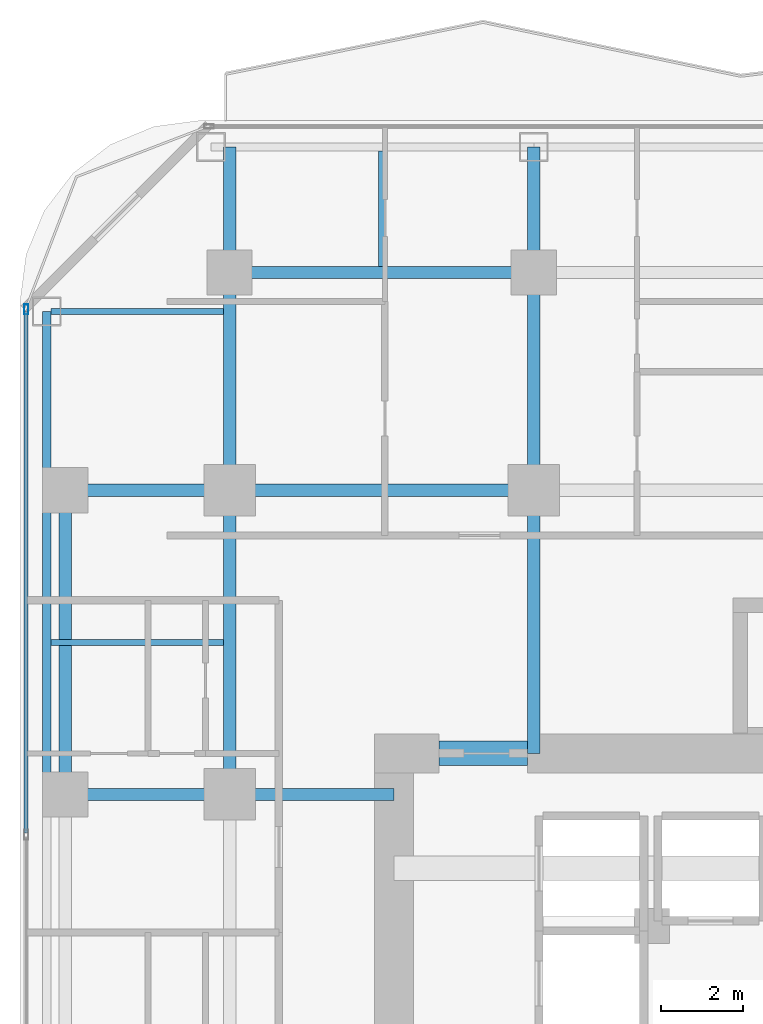
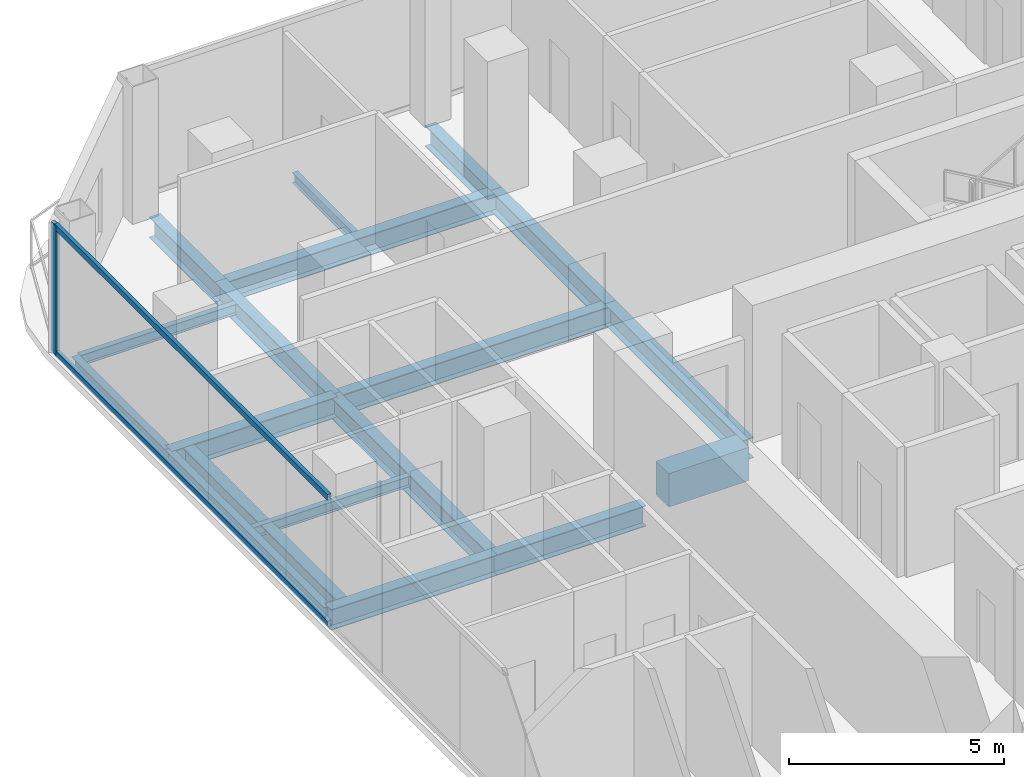
# One storey, part 12 of 29: 18 beams, 3 members, 1 element without a shape of its own.
"""IFC4 building model written with IfcOpenShell, lengths in metres."""

from ifc_helpers import new_model, si_unit, direction, frame, origin, origin_2d, place, context, subcontext, project, spatial, rectangle, hollow_rectangle, i_section, extrude, material, layer, layer_set, material_profile, profile_set, type_object, element, aggregate, save


model = new_model("IFC4")

# Units and contexts
model_context = context("Model", 3, precision=1e-05, world=origin(), true_north=direction((0.0, 1.0)))
body_context = subcontext(model_context, "Body", "Model", "MODEL_VIEW")
ifc_project = project(units=[si_unit("LENGTHUNIT", "METRE"), si_unit("AREAUNIT", "SQUARE_METRE"), si_unit("VOLUMEUNIT", "CUBIC_METRE"), si_unit("PLANEANGLEUNIT", "RADIAN"), si_unit("MASSUNIT", "GRAM", prefix="KILO")], contexts=[model_context])

# Site, building, storey
site_placement = place(None, origin())
site = spatial("IfcSite", under=ifc_project, at=site_placement, CompositionType="ELEMENT")
building_placement = place(site_placement, origin())
building = spatial("IfcBuilding", under=site, at=building_placement, Name="Khorvyn Point Tower", CompositionType="ELEMENT")
storey_placement = place(building_placement, frame((0.0, 0.0, 140.699951171875)))
storey = spatial("IfcBuildingStorey", under=building, at=storey_placement, Name="L35", CompositionType="ELEMENT", Elevation=140.699951171875)

# Curtain wall, members
ifc_material_1 = material(Name="Anodised aluminium 6063-T6 and laminated Low-E glass", Category="aluminium")
ifc_layer = layer(ifc_material_1, 0.18994140625)
ifc_layer_set = layer_set([ifc_layer], Name="Stick-Built Acoustic Curtain Wall CW-SYS-03")
curtain_wall_type = type_object("IfcCurtainWallType", Name="Stick-Built Acoustic Curtain Wall CW-SYS-03", PredefinedType="NOTDEFINED", material=ifc_layer_set)
curtain_wall_placement = place(storey_placement, origin())
curtain_wall = element("IfcCurtainWall", 1, at=curtain_wall_placement, inside=storey, type_object=curtain_wall_type, Name="Curtain Wall", PredefinedType="NOTDEFINED")
ifc_material_2 = material(Name="Anodised aluminium 6063-T6", Category="aluminium")
ifc_material_profile_1 = material_profile(ifc_material_2, hollow_rectangle(XDim=0.10009765625, YDim=0.239990234375, WallThickness=0.0048828125, at=origin_2d()))
ifc_profile_set_1 = profile_set([ifc_material_profile_1], Name="Anodised aluminium 6063-T6 ALU-MUL-100x240")
member_type_1 = type_object("IfcMemberType", Name="Anodised Aluminium 6063-T6 Mullion ALU-MUL-100x240", PredefinedType="MULLION", material=ifc_profile_set_1)
member_1_placement = place(storey_placement, frame((-19.75, 19.199951171875, 0.0), z_axis=(0.0, 0.0, 1.0), x_axis=(-1.0, 0.0, 0.0)))
member_1 = element("IfcMember", 2, at=member_1_placement, type_object=member_type_1, Name="Transom", PredefinedType="MULLION", context=body_context, shape_type="SweptSolid", body=[
    extrude(hollow_rectangle(XDim=0.10009765625, YDim=0.239990234375, WallThickness=0.0048828125, at=origin_2d()), origin(), (0.0, 0.0, 1.0), 3.679931640625),
])
ifc_material_profile_2 = material_profile(ifc_material_2, hollow_rectangle(XDim=0.10009765625, YDim=0.159912109375, WallThickness=0.00439453125, at=origin_2d()))
ifc_profile_set_2 = profile_set([ifc_material_profile_2], Name="Anodised aluminium 6063-T6 ALU-TRN-100x160")
member_type_2 = type_object("IfcMemberType", Name="Anodised Aluminium 6063-T6 Transom ALU-TRN-100x160", PredefinedType="USERDEFINED", material=ifc_profile_set_2)
member_2_placement = place(storey_placement, frame((-19.75, 6.466552734375, 0.050048828125), z_axis=(0.0, 1.0, 0.0), x_axis=(-1.0, 0.0, 0.0)))
member_2 = element("IfcMember", 3, at=member_2_placement, type_object=member_type_2, Name="Transom", ObjectType="TRANSOM", PredefinedType="USERDEFINED", context=body_context, shape_type="SweptSolid", body=[
    extrude(hollow_rectangle(XDim=0.10009765625, YDim=0.159912109375, WallThickness=0.00439453125, at=origin_2d()), origin(), (0.0, 0.0, 1.0), 12.683349609375),
])
member_3_placement = place(storey_placement, frame((-19.75, 6.466552734375, 3.630126953125), z_axis=(0.0, 1.0, 0.0), x_axis=(-1.0, 0.0, 0.0)))
member_3 = element("IfcMember", 4, at=member_3_placement, type_object=member_type_2, Name="Transom", ObjectType="TRANSOM", PredefinedType="USERDEFINED", context=body_context, shape_type="SweptSolid", body=[
    extrude(hollow_rectangle(XDim=0.10009765625, YDim=0.159912109375, WallThickness=0.00439453125, at=origin_2d()), origin(), (0.0, 0.0, 1.0), 12.683349609375),
])
aggregate(curtain_wall, [member_1, member_2, member_3])

# Beams
ifc_material_3 = material(Name="Concrete C50/60", Category="concrete")
ifc_material_profile_3 = material_profile(ifc_material_3, rectangle(XDim=0.60009765625, YDim=0.949951171875, at=origin_2d()))
ifc_profile_set_3 = profile_set([ifc_material_profile_3], Name="Concrete C50/60 RC600x950")
beam_type_1 = type_object("IfcBeamType", Name="Concrete C50/60 Beam RC600x950", PredefinedType="BEAM", material=ifc_profile_set_3)
beam_1_placement = place(storey_placement, frame((-9.699951171875, 8.39990234375, -0.695068359375), z_axis=(1.0, 0.0, 0.0), x_axis=(0.0, 1.0, 0.0)))
element("IfcBeam", 5, at=beam_1_placement, inside=storey, type_object=beam_type_1, Name="L35 Core Northwest Portal Coupling Beam", PredefinedType="BEAM", context=body_context, shape_type="SweptSolid", body=[
    extrude(rectangle(XDim=0.60009765625, YDim=0.949951171875, at=origin_2d()), origin(), (0.0, 0.0, 1.0), 2.14990234375),
])
ifc_material_4 = material(Name="Steel S355", Category="steel")
ifc_material_profile_4 = material_profile(ifc_material_4, i_section(OverallWidth=0.300048828125, OverallDepth=0.587890625, WebThickness=0.011962890625, FlangeThickness=0.02001953125, at=origin_2d()))
ifc_profile_set_4 = profile_set([ifc_material_profile_4], Name="Steel S355 H588x300x12x20")
beam_type_2 = type_object("IfcBeamType", Name="Steel S355 Beam H588x300x12x20", PredefinedType="BEAM", material=ifc_profile_set_4)
beam_2_placement = place(storey_placement, frame((-19.25, 14.800048828125, -0.513916015625), z_axis=(1.0, 0.0, 0.0), x_axis=(0.0, 1.0, 0.0)))
element("IfcBeam", 6, at=beam_2_placement, inside=storey, type_object=beam_type_2, Name="Beam", PredefinedType="BEAM", context=body_context, shape_type="SweptSolid", body=[
    extrude(i_section(OverallWidth=0.300048828125, OverallDepth=0.587890625, WebThickness=0.011962890625, FlangeThickness=0.02001953125, at=origin_2d()), origin(), (0.0, 0.0, 1.0), 4.449951171875),
])
beam_3_placement = place(storey_placement, frame((-14.800048828125, 14.800048828125, -0.513916015625), z_axis=(1.0, 0.0, 0.0), x_axis=(0.0, 1.0, 0.0)))
element("IfcBeam", 7, at=beam_3_placement, inside=storey, type_object=beam_type_2, Name="Beam", PredefinedType="BEAM", context=body_context, shape_type="SweptSolid", body=[
    extrude(i_section(OverallWidth=0.300048828125, OverallDepth=0.587890625, WebThickness=0.011962890625, FlangeThickness=0.02001953125, at=origin_2d()), origin(), (0.0, 0.0, 1.0), 7.400146484375),
])
beam_4_placement = place(storey_placement, frame((-19.25, 7.39990234375, -0.513916015625), z_axis=(1.0, 0.0, 0.0), x_axis=(0.0, 1.0, 0.0)))
element("IfcBeam", 8, at=beam_4_placement, inside=storey, type_object=beam_type_2, Name="Beam", PredefinedType="BEAM", context=body_context, shape_type="SweptSolid", body=[
    extrude(i_section(OverallWidth=0.300048828125, OverallDepth=0.587890625, WebThickness=0.011962890625, FlangeThickness=0.02001953125, at=origin_2d()), origin(), (0.0, 0.0, 1.0), 4.449951171875),
])
beam_5_placement = place(storey_placement, frame((-14.800048828125, 7.39990234375, -0.513916015625), z_axis=(1.0, 0.0, 0.0), x_axis=(0.0, 1.0, 0.0)))
element("IfcBeam", 9, at=beam_5_placement, inside=storey, type_object=beam_type_2, Name="Beam", PredefinedType="BEAM", context=body_context, shape_type="SweptSolid", body=[
    extrude(i_section(OverallWidth=0.300048828125, OverallDepth=0.587890625, WebThickness=0.011962890625, FlangeThickness=0.02001953125, at=origin_2d()), origin(), (0.0, 0.0, 1.0), 4.0),
])
for number, where, z_axis, x_axis, name in (
    (10, (-14.800048828125, 20.10009765625, -0.513916015625), (1.0, 0.0, 0.0), (0.0, 1.0, 0.0), "Beam"),
    (11, (-14.800048828125, 7.39990234375, -0.513916015625), (0.0, 1.0, 0.0), (-1.0, 0.0, 0.0), "Beam"),
):
    element("IfcBeam", number, at=place(storey_placement, frame(where, z_axis=z_axis, x_axis=x_axis)), inside=storey, type_object=beam_type_2, Name=name, PredefinedType="BEAM", context=body_context, shape_type="SweptSolid", body=[
        extrude(i_section(OverallWidth=0.300048828125, OverallDepth=0.587890625, WebThickness=0.011962890625, FlangeThickness=0.02001953125, at=origin_2d()), origin(), (0.0, 0.0, 1.0), 7.400146484375),
    ])
beam_6_placement = place(storey_placement, frame((-14.800048828125, 14.800048828125, -0.513916015625), z_axis=(0.0, 1.0, 0.0), x_axis=(-1.0, 0.0, 0.0)))
element("IfcBeam", 12, at=beam_6_placement, inside=storey, type_object=beam_type_2, Name="Beam", PredefinedType="BEAM", context=body_context, shape_type="SweptSolid", body=[
    extrude(i_section(OverallWidth=0.300048828125, OverallDepth=0.587890625, WebThickness=0.011962890625, FlangeThickness=0.02001953125, at=origin_2d()), origin(), (0.0, 0.0, 1.0), 5.300048828125),
])
beam_7_placement = place(storey_placement, frame((-14.800048828125, 20.10009765625, -0.513916015625), z_axis=(0.0, 1.0, 0.0), x_axis=(-1.0, 0.0, 0.0)))
element("IfcBeam", 13, at=beam_7_placement, inside=storey, type_object=beam_type_2, Name="Beam", PredefinedType="BEAM", context=body_context, shape_type="SweptSolid", body=[
    extrude(i_section(OverallWidth=0.300048828125, OverallDepth=0.587890625, WebThickness=0.011962890625, FlangeThickness=0.02001953125, at=origin_2d()), origin(), (0.0, 0.0, 1.0), 3.0498046875),
])
beam_8_placement = place(storey_placement, frame((-7.39990234375, 8.39990234375, -0.513916015625), z_axis=(0.0, 1.0, 0.0), x_axis=(-1.0, 0.0, 0.0)))
element("IfcBeam", 14, at=beam_8_placement, inside=storey, type_object=beam_type_2, Name="Beam", PredefinedType="BEAM", context=body_context, shape_type="SweptSolid", body=[
    extrude(i_section(OverallWidth=0.300048828125, OverallDepth=0.587890625, WebThickness=0.011962890625, FlangeThickness=0.02001953125, at=origin_2d()), origin(), (0.0, 0.0, 1.0), 6.400146484375),
])
beam_9_placement = place(storey_placement, frame((-7.39990234375, 14.800048828125, -0.513916015625), z_axis=(0.0, 1.0, 0.0), x_axis=(-1.0, 0.0, 0.0)))
element("IfcBeam", 15, at=beam_9_placement, inside=storey, type_object=beam_type_2, Name="Beam", PredefinedType="BEAM", context=body_context, shape_type="SweptSolid", body=[
    extrude(i_section(OverallWidth=0.300048828125, OverallDepth=0.587890625, WebThickness=0.011962890625, FlangeThickness=0.02001953125, at=origin_2d()), origin(), (0.0, 0.0, 1.0), 5.300048828125),
])
beam_10_placement = place(storey_placement, frame((-7.39990234375, 20.10009765625, -0.513916015625), z_axis=(0.0, 1.0, 0.0), x_axis=(-1.0, 0.0, 0.0)))
element("IfcBeam", 16, at=beam_10_placement, inside=storey, type_object=beam_type_2, Name="Beam", PredefinedType="BEAM", context=body_context, shape_type="SweptSolid", body=[
    extrude(i_section(OverallWidth=0.300048828125, OverallDepth=0.587890625, WebThickness=0.011962890625, FlangeThickness=0.02001953125, at=origin_2d()), origin(), (0.0, 0.0, 1.0), 3.0498046875),
])
beam_11_placement = place(storey_placement, frame((-18.800048828125, 7.39990234375, -0.513916015625), z_axis=(0.0, 1.0, 0.0), x_axis=(-1.0, 0.0, 0.0)))
element("IfcBeam", 17, at=beam_11_placement, inside=storey, type_object=beam_type_2, Name="Beam", PredefinedType="BEAM", context=body_context, shape_type="SweptSolid", body=[
    extrude(i_section(OverallWidth=0.300048828125, OverallDepth=0.587890625, WebThickness=0.011962890625, FlangeThickness=0.02001953125, at=origin_2d()), origin(), (0.0, 0.0, 1.0), 7.400146484375),
])
ifc_material_profile_5 = material_profile(ifc_material_4, i_section(OverallWidth=0.14990234375, OverallDepth=0.300048828125, WebThickness=0.006591796875, FlangeThickness=0.009033203125, at=origin_2d()))
ifc_profile_set_5 = profile_set([ifc_material_profile_5], Name="Steel S355 H300x150x6.5x9")
beam_type_3 = type_object("IfcBeamType", Name="Steel S355 Joist H300x150x6.5x9", PredefinedType="JOIST", material=ifc_profile_set_5)
beam_12_placement = place(storey_placement, frame((-19.14990234375, 11.10009765625, -0.369873046875), z_axis=(1.0, 0.0, 0.0), x_axis=(0.0, 1.0, 0.0)))
element("IfcBeam", 18, at=beam_12_placement, inside=storey, type_object=beam_type_3, Name="Beam", PredefinedType="JOIST", context=body_context, shape_type="SweptSolid", body=[
    extrude(i_section(OverallWidth=0.14990234375, OverallDepth=0.300048828125, WebThickness=0.006591796875, FlangeThickness=0.009033203125, at=origin_2d()), origin(), (0.0, 0.0, 1.0), 4.199951171875),
])
beam_13_placement = place(storey_placement, frame((-11.10009765625, 20.25, -0.369873046875), z_axis=(0.0, 1.0, 0.0), x_axis=(-1.0, 0.0, 0.0)))
element("IfcBeam", 19, at=beam_13_placement, inside=storey, type_object=beam_type_3, Name="Beam", PredefinedType="JOIST", context=body_context, shape_type="SweptSolid", body=[
    extrude(i_section(OverallWidth=0.14990234375, OverallDepth=0.300048828125, WebThickness=0.006591796875, FlangeThickness=0.009033203125, at=origin_2d()), origin(), (0.0, 0.0, 1.0), 2.800048828125),
])
beam_14_placement = place(storey_placement, frame((-19.14990234375, 19.14990234375, -0.369873046875), z_axis=(1.0, 0.0, 0.0), x_axis=(0.0, 1.0, 0.0)))
element("IfcBeam", 20, at=beam_14_placement, inside=storey, type_object=beam_type_3, Name="Beam", PredefinedType="JOIST", context=body_context, shape_type="SweptSolid", body=[
    extrude(i_section(OverallWidth=0.14990234375, OverallDepth=0.300048828125, WebThickness=0.006591796875, FlangeThickness=0.009033203125, at=origin_2d()), origin(), (0.0, 0.0, 1.0), 4.199951171875),
])
ifc_material_profile_6 = material_profile(ifc_material_4, i_section(OverallWidth=0.199951171875, OverallDepth=0.449951171875, WebThickness=0.009033203125, FlangeThickness=0.013916015625, at=origin_2d()))
ifc_profile_set_6 = profile_set([ifc_material_profile_6], Name="Steel S355 H450x200x9x14")
beam_type_4 = type_object("IfcBeamType", Name="Steel S355 Spandrel H450x200x9x14", PredefinedType="SPANDREL", material=ifc_profile_set_6)
beam_15_placement = place(storey_placement, frame((-19.25, 7.39990234375, -0.445068359375), z_axis=(0.0, 1.0, 0.0), x_axis=(-1.0, 0.0, 0.0)))
element("IfcBeam", 21, at=beam_15_placement, inside=storey, type_object=beam_type_4, Name="Beam", PredefinedType="SPANDREL", context=body_context, shape_type="SweptSolid", body=[
    extrude(i_section(OverallWidth=0.199951171875, OverallDepth=0.449951171875, WebThickness=0.009033203125, FlangeThickness=0.013916015625, at=origin_2d()), origin(), (0.0, 0.0, 1.0), 7.400146484375),
])
beam_16_placement = place(storey_placement, frame((-19.25, 14.800048828125, -0.445068359375), z_axis=(0.0, 1.0, 0.0), x_axis=(-1.0, 0.0, 0.0)))
element("IfcBeam", 22, at=beam_16_placement, inside=storey, type_object=beam_type_4, Name="Beam", PredefinedType="SPANDREL", context=body_context, shape_type="SweptSolid", body=[
    extrude(i_section(OverallWidth=0.199951171875, OverallDepth=0.449951171875, WebThickness=0.009033203125, FlangeThickness=0.013916015625, at=origin_2d()), origin(), (0.0, 0.0, 1.0), 4.349853515625),
])

save(model, "model.ifc")
